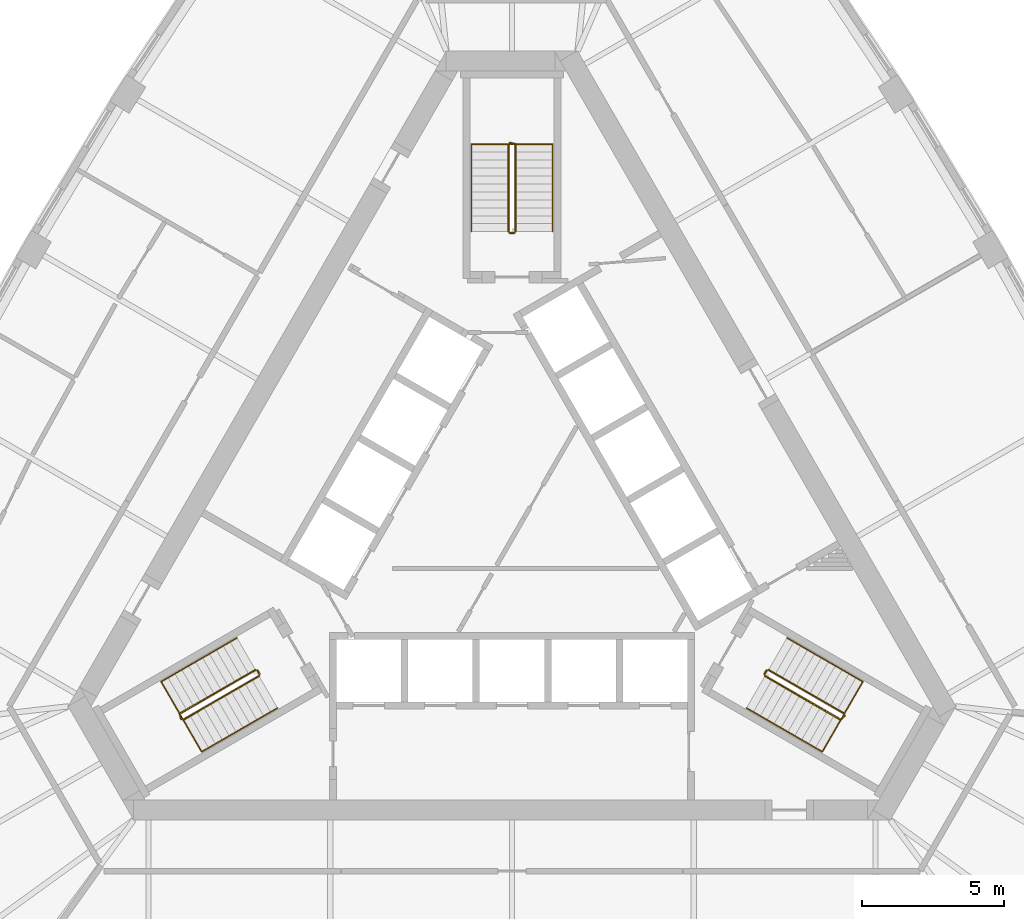
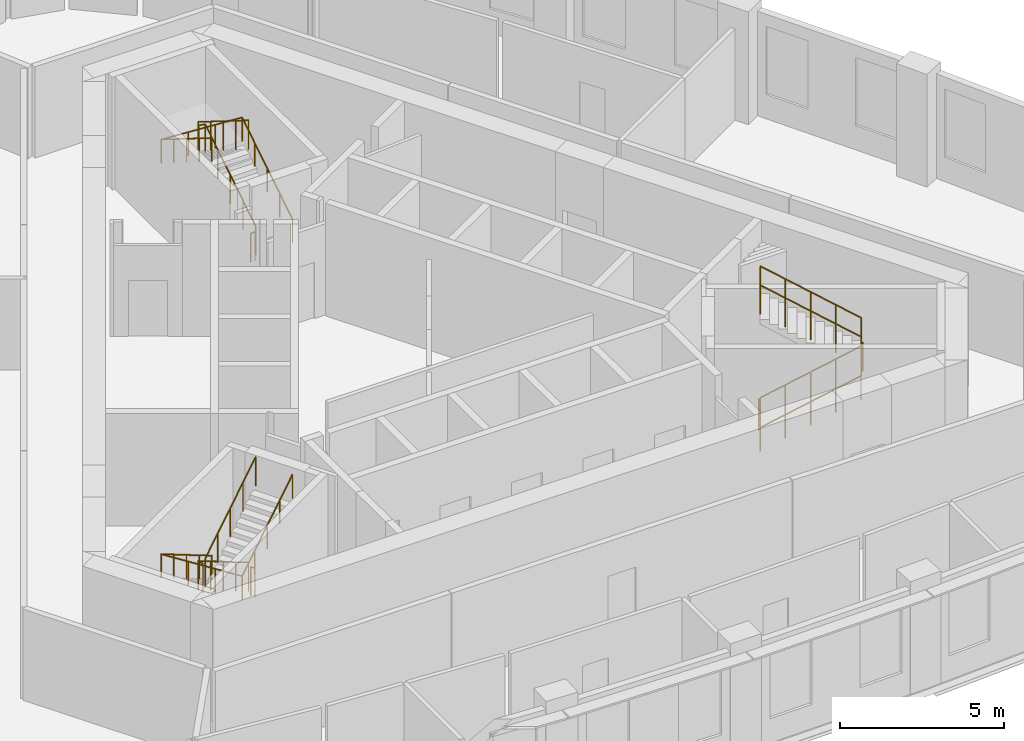
# One storey, part 11 of 11: 12 railings.
"""IFC4 building model written with IfcOpenShell, lengths in metres."""

from ifc_helpers import new_model, si_unit, direction, frame, origin, origin_2d, place, context, subcontext, project, spatial, circle, extrude, material, type_object, element, save


model = new_model("IFC4")

# Units and contexts
model_context = context("Model", 3, precision=1e-05, world=origin(), true_north=direction((0.0, 1.0)))
body_context = subcontext(model_context, "Body", "Model", "MODEL_VIEW")
ifc_project = project(units=[si_unit("LENGTHUNIT", "METRE"), si_unit("AREAUNIT", "SQUARE_METRE"), si_unit("VOLUMEUNIT", "CUBIC_METRE"), si_unit("PLANEANGLEUNIT", "RADIAN"), si_unit("MASSUNIT", "GRAM", prefix="KILO")], contexts=[model_context])

# Site, building, storey
site_placement = place(None, origin())
site = spatial("IfcSite", under=ifc_project, at=site_placement, CompositionType="ELEMENT")
building_placement = place(site_placement, origin())
building = spatial("IfcBuilding", under=site, at=building_placement, Name="Mestral Congress Tower", CompositionType="ELEMENT")
storey_placement = place(building_placement, frame((0.0, 0.0, 252.0)))
storey = spatial("IfcBuildingStorey", under=building, at=storey_placement, Name="L59", CompositionType="ELEMENT", Elevation=252.0)

# Railings
ifc_material_1 = material(Name="Steel balustrade", Category="steel")
railing_type_1 = type_object("IfcRailingType", Name="Stair guard 1100", PredefinedType="GUARDRAIL", material=ifc_material_1)
railing_1_placement = place(storey_placement, frame((8.90087890625, -5.283203125, 0.175048828125)))
element("IfcRailing", 1, at=railing_1_placement, inside=storey, type_object=railing_type_1, Name="L59 ST1 stair guard 1", PredefinedType="GUARDRAIL", context=body_context, shape_type="SweptSolid", body=[
    extrude(circle(Radius=0.02392578125, at=origin_2d()), frame((0.0, 0.0, 1.076171875), z_axis=(0.734364028329, -0.424015404183, 0.530019255228), x_axis=(0.500026652407, 0.866010015463, 0.0)), (0.0, 0.0, 1.0), 3.632080078125),
    extrude(circle(Radius=0.02392578125, at=origin_2d()), frame((2.667236328125, -1.5400390625, 3.0009765625), z_axis=(0.695164929852, 0.718850276695, 0.0), x_axis=(-0.718850276695, 0.695164929852, 0.0)), (0.0, 0.0, 1.0), 0.2060546875),
    extrude(circle(Radius=0.02099609375, at=origin_2d()), origin(), (0.0, 0.0, 1.0), 1.052001953125),
    extrude(circle(Radius=0.02099609375, at=origin_2d()), frame((0.666748046875, -0.385009765625, 0.481201171875)), (0.0, 0.0, 1.0), 1.052001953125),
    extrude(circle(Radius=0.02099609375, at=origin_2d()), frame((1.33349609375, -0.77001953125, 0.96240234375)), (0.0, 0.0, 1.0), 1.052001953125),
    extrude(circle(Radius=0.02099609375, at=origin_2d()), frame((2.00048828125, -1.155029296875, 1.44384765625)), (0.0, 0.0, 1.0), 1.052001953125),
    extrude(circle(Radius=0.02099609375, at=origin_2d()), frame((2.667236328125, -1.5400390625, 1.925048828125)), (0.0, 0.0, 1.0), 1.052001953125),
    extrude(circle(Radius=0.02099609375, at=origin_2d()), frame((2.810546875, -1.391845703125, 1.925048828125)), (0.0, 0.0, 1.0), 1.052001953125),
])
railing_2_placement = place(storey_placement, frame((11.693115234375, -6.606689453125, 2.27490234375)))
element("IfcRailing", 2, at=railing_2_placement, inside=storey, type_object=railing_type_1, Name="L59 ST1 stair guard 2", PredefinedType="GUARDRAIL", context=body_context, shape_type="SweptSolid", body=[
    extrude(circle(Radius=0.02392578125, at=origin_2d()), frame((0.0, 0.0, 1.076171875), z_axis=(-0.734364028329, 0.424015404183, 0.530019255228), x_axis=(-0.500026652407, -0.866010015463, 0.0)), (0.0, 0.0, 1.0), 3.632080078125),
    extrude(circle(Radius=0.02099609375, at=origin_2d()), origin(), (0.0, 0.0, 1.0), 1.052001953125),
    extrude(circle(Radius=0.02099609375, at=origin_2d()), frame((-0.666748046875, 0.385009765625, 0.481201171875)), (0.0, 0.0, 1.0), 1.052001953125),
    extrude(circle(Radius=0.02099609375, at=origin_2d()), frame((-1.33349609375, 0.77001953125, 0.96240234375)), (0.0, 0.0, 1.0), 1.052001953125),
    extrude(circle(Radius=0.02099609375, at=origin_2d()), frame((-2.00048828125, 1.155029296875, 1.44384765625)), (0.0, 0.0, 1.0), 1.052001953125),
    extrude(circle(Radius=0.02099609375, at=origin_2d()), frame((-2.667236328125, 1.5400390625, 1.925048828125)), (0.0, 0.0, 1.0), 1.052001953125),
])
railing_3_placement = place(storey_placement, frame((8.882568359375, -5.21484375, 0.0)))
element("IfcRailing", 3, at=railing_3_placement, inside=storey, type_object=railing_type_1, Name="L59 ST1 stair guard 3", PredefinedType="GUARDRAIL", context=body_context, shape_type="SweptSolid", body=[
    extrude(circle(Radius=0.02392578125, at=origin_2d()), frame((0.0, 0.0, 1.076171875), z_axis=(0.499816412211, 0.866131372301, 0.0), x_axis=(-0.866131372301, 0.499816412211, 0.0)), (0.0, 0.0, 1.0), 0.14990234375),
    extrude(circle(Radius=0.02099609375, at=origin_2d()), origin(), (0.0, 0.0, 1.0), 1.052001953125),
    extrude(circle(Radius=0.02099609375, at=origin_2d()), frame((0.074951171875, 0.1298828125, 0.0)), (0.0, 0.0, 1.0), 1.052001953125),
])
railing_4_placement = place(storey_placement, frame((0.125, 10.35009765625, 0.175048828125)))
element("IfcRailing", 4, at=railing_4_placement, inside=storey, type_object=railing_type_1, Name="L59 ST2 stair guard 1", PredefinedType="GUARDRAIL", context=body_context, shape_type="SweptSolid", body=[
    extrude(circle(Radius=0.02392578125, at=origin_2d()), frame((0.0, 0.0, 1.076171875), z_axis=(0.0, 0.847979421464, 0.530029150871), x_axis=(-1.0, 0.0, 0.0)), (0.0, 0.0, 1.0), 3.632080078125),
    extrude(circle(Radius=0.02392578125, at=origin_2d()), frame((0.0, 3.079833984375, 3.0009765625), z_axis=(-0.970072785993, 0.242814311512, 0.0), x_axis=(-0.242814311512, -0.970072785993, 0.0)), (0.0, 0.0, 1.0), 0.2060546875),
    extrude(circle(Radius=0.02099609375, at=origin_2d()), origin(), (0.0, 0.0, 1.0), 1.052001953125),
    extrude(circle(Radius=0.02099609375, at=origin_2d()), frame((0.0, 0.77001953125, 0.481201171875)), (0.0, 0.0, 1.0), 1.052001953125),
    extrude(circle(Radius=0.02099609375, at=origin_2d()), frame((0.0, 1.5400390625, 0.96240234375)), (0.0, 0.0, 1.0), 1.052001953125),
    extrude(circle(Radius=0.02099609375, at=origin_2d()), frame((0.0, 2.309814453125, 1.44384765625)), (0.0, 0.0, 1.0), 1.052001953125),
    extrude(circle(Radius=0.02099609375, at=origin_2d()), frame((0.0, 3.079833984375, 1.925048828125)), (0.0, 0.0, 1.0), 1.052001953125),
    extrude(circle(Radius=0.02099609375, at=origin_2d()), frame((-0.199951171875, 3.1298828125, 1.925048828125)), (0.0, 0.0, 1.0), 1.052001953125),
])
railing_5_placement = place(storey_placement, frame((-0.125, 13.429931640625, 2.27490234375)))
element("IfcRailing", 5, at=railing_5_placement, inside=storey, type_object=railing_type_1, Name="L59 ST2 stair guard 2", PredefinedType="GUARDRAIL", context=body_context, shape_type="SweptSolid", body=[
    extrude(circle(Radius=0.02392578125, at=origin_2d()), frame((0.0, 0.0, 1.076171875), z_axis=(0.0, -0.847979421464, 0.530029150871), x_axis=(1.0, 0.0, 0.0)), (0.0, 0.0, 1.0), 3.632080078125),
    extrude(circle(Radius=0.02099609375, at=origin_2d()), origin(), (0.0, 0.0, 1.0), 1.052001953125),
    extrude(circle(Radius=0.02099609375, at=origin_2d()), frame((0.0, -0.77001953125, 0.481201171875)), (0.0, 0.0, 1.0), 1.052001953125),
    extrude(circle(Radius=0.02099609375, at=origin_2d()), frame((0.0, -1.5400390625, 0.96240234375)), (0.0, 0.0, 1.0), 1.052001953125),
    extrude(circle(Radius=0.02099609375, at=origin_2d()), frame((0.0, -2.309814453125, 1.44384765625)), (0.0, 0.0, 1.0), 1.052001953125),
    extrude(circle(Radius=0.02099609375, at=origin_2d()), frame((0.0, -3.079833984375, 1.925048828125)), (0.0, 0.0, 1.0), 1.052001953125),
])
railing_6_placement = place(storey_placement, frame((0.074951171875, 10.300048828125, 0.0)))
element("IfcRailing", 6, at=railing_6_placement, inside=storey, type_object=railing_type_1, Name="L59 ST2 stair guard 3", PredefinedType="GUARDRAIL", context=body_context, shape_type="SweptSolid", body=[
    extrude(circle(Radius=0.02392578125, at=origin_2d()), frame((0.0, 0.0, 1.076171875), z_axis=(-1.0, 0.0, 0.0), x_axis=(0.0, -1.0, 0.0)), (0.0, 0.0, 1.0), 0.14990234375),
    extrude(circle(Radius=0.02099609375, at=origin_2d()), origin(), (0.0, 0.0, 1.0), 1.052001953125),
    extrude(circle(Radius=0.02099609375, at=origin_2d()), frame((-0.14990234375, 0.0, 0.0)), (0.0, 0.0, 1.0), 1.052001953125),
])
railing_7_placement = place(storey_placement, frame((-9.02587890625, -5.066650390625, 0.175048828125)))
element("IfcRailing", 7, at=railing_7_placement, inside=storey, type_object=railing_type_1, Name="L59 ST3 stair guard 1", PredefinedType="GUARDRAIL", context=body_context, shape_type="SweptSolid", body=[
    extrude(circle(Radius=0.02392578125, at=origin_2d()), frame((0.0, 0.0, 1.076171875), z_axis=(-0.734364028329, -0.424015404183, 0.530019255228), x_axis=(0.500026652407, -0.866010015463, 0.0)), (0.0, 0.0, 1.0), 3.632080078125),
    extrude(circle(Radius=0.02392578125, at=origin_2d()), frame((-2.667236328125, -1.5400390625, 3.0009765625), z_axis=(0.274721127897, -0.961523947641, 0.0), x_axis=(0.961523947641, 0.274721127897, 0.0)), (0.0, 0.0, 1.0), 0.2060546875),
    extrude(circle(Radius=0.02099609375, at=origin_2d()), origin(), (0.0, 0.0, 1.0), 1.052001953125),
    extrude(circle(Radius=0.02099609375, at=origin_2d()), frame((-0.666748046875, -0.385009765625, 0.481201171875)), (0.0, 0.0, 1.0), 1.052001953125),
    extrude(circle(Radius=0.02099609375, at=origin_2d()), frame((-1.33349609375, -0.77001953125, 0.96240234375)), (0.0, 0.0, 1.0), 1.052001953125),
    extrude(circle(Radius=0.02099609375, at=origin_2d()), frame((-2.00048828125, -1.155029296875, 1.44384765625)), (0.0, 0.0, 1.0), 1.052001953125),
    extrude(circle(Radius=0.02099609375, at=origin_2d()), frame((-2.667236328125, -1.5400390625, 1.925048828125)), (0.0, 0.0, 1.0), 1.052001953125),
    extrude(circle(Radius=0.02099609375, at=origin_2d()), frame((-2.610595703125, -1.73828125, 1.925048828125)), (0.0, 0.0, 1.0), 1.052001953125),
])
railing_8_placement = place(storey_placement, frame((-11.568115234375, -6.8232421875, 2.27490234375)))
element("IfcRailing", 8, at=railing_8_placement, inside=storey, type_object=railing_type_1, Name="L59 ST3 stair guard 2", PredefinedType="GUARDRAIL", context=body_context, shape_type="SweptSolid", body=[
    extrude(circle(Radius=0.02392578125, at=origin_2d()), frame((0.0, 0.0, 1.076171875), z_axis=(0.734364028329, 0.424015404183, 0.530019255228), x_axis=(-0.500026652407, 0.866010015463, 0.0)), (0.0, 0.0, 1.0), 3.632080078125),
    extrude(circle(Radius=0.02099609375, at=origin_2d()), origin(), (0.0, 0.0, 1.0), 1.052001953125),
    extrude(circle(Radius=0.02099609375, at=origin_2d()), frame((0.666748046875, 0.385009765625, 0.481201171875)), (0.0, 0.0, 1.0), 1.052001953125),
    extrude(circle(Radius=0.02099609375, at=origin_2d()), frame((1.33349609375, 0.77001953125, 0.96240234375)), (0.0, 0.0, 1.0), 1.052001953125),
    extrude(circle(Radius=0.02099609375, at=origin_2d()), frame((2.00048828125, 1.155029296875, 1.44384765625)), (0.0, 0.0, 1.0), 1.052001953125),
    extrude(circle(Radius=0.02099609375, at=origin_2d()), frame((2.667236328125, 1.5400390625, 1.925048828125)), (0.0, 0.0, 1.0), 1.052001953125),
])
railing_9_placement = place(storey_placement, frame((-8.95751953125, -5.0849609375, 0.0)))
element("IfcRailing", 9, at=railing_9_placement, inside=storey, type_object=railing_type_1, Name="L59 ST3 stair guard 3", PredefinedType="GUARDRAIL", context=body_context, shape_type="SweptSolid", body=[
    extrude(circle(Radius=0.02392578125, at=origin_2d()), frame((0.0, 0.0, 1.076171875), z_axis=(0.499816412211, -0.866131372301, 0.0), x_axis=(0.866131372301, 0.499816412211, 0.0)), (0.0, 0.0, 1.0), 0.14990234375),
    extrude(circle(Radius=0.02099609375, at=origin_2d()), origin(), (0.0, 0.0, 1.0), 1.052001953125),
    extrude(circle(Radius=0.02099609375, at=origin_2d()), frame((0.074951171875, -0.1298828125, 0.0)), (0.0, 0.0, 1.0), 1.052001953125),
])
ifc_material_2 = material(Name="Steel handrail", Category="steel")
railing_type_2 = type_object("IfcRailingType", Name="Stair handrail 900", PredefinedType="HANDRAIL", material=ifc_material_2)
railing_10_placement = place(storey_placement, frame((8.2509765625, -6.4091796875, 0.175048828125)))
element("IfcRailing", 10, at=railing_10_placement, inside=storey, type_object=railing_type_2, Name="L59 ST1 stair handrail 1", PredefinedType="HANDRAIL", context=body_context, shape_type="SweptSolid", body=[
    extrude(circle(Radius=0.02392578125, at=origin_2d()), frame((0.0, 0.0, 0.8759765625), z_axis=(0.734384958227, -0.423960268333, 0.530034361155), x_axis=(0.499967199496, 0.866044340336, 0.0)), (0.0, 0.0, 1.0), 3.6318359375),
    extrude(circle(Radius=0.02392578125, at=origin_2d()), frame((2.667236328125, -1.539794921875, 2.80078125), z_axis=(0.499098383545, 0.864379914213, 0.061222279016), x_axis=(-0.866004402611, 0.500036373335, 0.0)), (0.0, 0.0, 1.0), 2.855224609375),
    extrude(circle(Radius=0.02392578125, at=origin_2d()), frame((4.09228515625, 0.92822265625, 2.9755859375), z_axis=(-0.734394994316, 0.423994474112, 0.52999309264), x_axis=(-0.499992328818, -0.866029832698, 0.0)), (0.0, 0.0, 1.0), 3.63232421875),
    extrude(circle(Radius=0.02099609375, at=origin_2d()), origin(), (0.0, 0.0, 1.0), 0.851806640625),
    extrude(circle(Radius=0.02099609375, at=origin_2d()), frame((0.666748046875, -0.385009765625, 0.481201171875)), (0.0, 0.0, 1.0), 0.851806640625),
    extrude(circle(Radius=0.02099609375, at=origin_2d()), frame((1.33349609375, -0.77001953125, 0.96240234375)), (0.0, 0.0, 1.0), 0.851806640625),
    extrude(circle(Radius=0.02099609375, at=origin_2d()), frame((2.00048828125, -1.15478515625, 1.44384765625)), (0.0, 0.0, 1.0), 0.851806640625),
    extrude(circle(Radius=0.02099609375, at=origin_2d()), frame((2.667236328125, -1.539794921875, 1.925048828125)), (0.0, 0.0, 1.0), 0.851806640625),
    extrude(circle(Radius=0.02099609375, at=origin_2d()), frame((3.142333984375, -0.717041015625, 1.9833984375)), (0.0, 0.0, 1.0), 0.851806640625),
    extrude(circle(Radius=0.02099609375, at=origin_2d()), frame((3.6171875, 0.10546875, 2.04150390625)), (0.0, 0.0, 1.0), 0.851806640625),
    extrude(circle(Radius=0.02099609375, at=origin_2d()), frame((4.09228515625, 0.92822265625, 2.099853515625)), (0.0, 0.0, 1.0), 0.851806640625),
    extrude(circle(Radius=0.02099609375, at=origin_2d()), frame((3.42529296875, 1.313232421875, 2.5810546875)), (0.0, 0.0, 1.0), 0.851806640625),
    extrude(circle(Radius=0.02099609375, at=origin_2d()), frame((2.758544921875, 1.6982421875, 3.0625)), (0.0, 0.0, 1.0), 0.851806640625),
    extrude(circle(Radius=0.02099609375, at=origin_2d()), frame((2.091796875, 2.083251953125, 3.543701171875)), (0.0, 0.0, 1.0), 0.851806640625),
    extrude(circle(Radius=0.02099609375, at=origin_2d()), frame((1.4248046875, 2.46826171875, 4.02490234375)), (0.0, 0.0, 1.0), 0.851806640625),
])
railing_11_placement = place(storey_placement, frame((1.425048828125, 10.35009765625, 0.175048828125)))
element("IfcRailing", 11, at=railing_11_placement, inside=storey, type_object=railing_type_2, Name="L59 ST2 stair handrail 1", PredefinedType="HANDRAIL", context=body_context, shape_type="SweptSolid", body=[
    extrude(circle(Radius=0.02392578125, at=origin_2d()), frame((0.0, 0.0, 0.8759765625), z_axis=(0.0, 0.847979421464, 0.530029150871), x_axis=(-1.0, 0.0, 0.0)), (0.0, 0.0, 1.0), 3.632080078125),
    extrude(circle(Radius=0.02392578125, at=origin_2d()), frame((0.0, 3.079833984375, 2.80078125), z_axis=(-0.998124429008, 0.0, 0.061217842314), x_axis=(0.0, -1.0, 0.0)), (0.0, 0.0, 1.0), 2.85546875),
    extrude(circle(Radius=0.02392578125, at=origin_2d()), frame((-2.85009765625, 3.079833984375, 2.9755859375), z_axis=(0.0, -0.847979421464, 0.530029150871), x_axis=(1.0, 0.0, 0.0)), (0.0, 0.0, 1.0), 3.632080078125),
    extrude(circle(Radius=0.02099609375, at=origin_2d()), origin(), (0.0, 0.0, 1.0), 0.851806640625),
    extrude(circle(Radius=0.02099609375, at=origin_2d()), frame((0.0, 0.77001953125, 0.481201171875)), (0.0, 0.0, 1.0), 0.851806640625),
    extrude(circle(Radius=0.02099609375, at=origin_2d()), frame((0.0, 1.5400390625, 0.96240234375)), (0.0, 0.0, 1.0), 0.851806640625),
    extrude(circle(Radius=0.02099609375, at=origin_2d()), frame((0.0, 2.309814453125, 1.44384765625)), (0.0, 0.0, 1.0), 0.851806640625),
    extrude(circle(Radius=0.02099609375, at=origin_2d()), frame((0.0, 3.079833984375, 1.925048828125)), (0.0, 0.0, 1.0), 0.851806640625),
    extrude(circle(Radius=0.02099609375, at=origin_2d()), frame((-0.949951171875, 3.079833984375, 1.9833984375)), (0.0, 0.0, 1.0), 0.851806640625),
    extrude(circle(Radius=0.02099609375, at=origin_2d()), frame((-1.900146484375, 3.079833984375, 2.04150390625)), (0.0, 0.0, 1.0), 0.851806640625),
    extrude(circle(Radius=0.02099609375, at=origin_2d()), frame((-2.85009765625, 3.079833984375, 2.099853515625)), (0.0, 0.0, 1.0), 0.851806640625),
    extrude(circle(Radius=0.02099609375, at=origin_2d()), frame((-2.85009765625, 2.309814453125, 2.5810546875)), (0.0, 0.0, 1.0), 0.851806640625),
    extrude(circle(Radius=0.02099609375, at=origin_2d()), frame((-2.85009765625, 1.5400390625, 3.0625)), (0.0, 0.0, 1.0), 0.851806640625),
    extrude(circle(Radius=0.02099609375, at=origin_2d()), frame((-2.85009765625, 0.77001953125, 3.543701171875)), (0.0, 0.0, 1.0), 0.851806640625),
    extrude(circle(Radius=0.02099609375, at=origin_2d()), frame((-2.85009765625, 0.0, 4.02490234375)), (0.0, 0.0, 1.0), 0.851806640625),
])
railing_12_placement = place(storey_placement, frame((-9.67578125, -3.94091796875, 0.175048828125)))
element("IfcRailing", 12, at=railing_12_placement, inside=storey, type_object=railing_type_2, Name="L59 ST3 stair handrail 1", PredefinedType="HANDRAIL", context=body_context, shape_type="SweptSolid", body=[
    extrude(circle(Radius=0.02392578125, at=origin_2d()), frame((0.0, 0.0, 0.8759765625), z_axis=(-0.734394994316, -0.423994474112, 0.52999309264), x_axis=(0.499992328818, -0.866029832698, 0.0)), (0.0, 0.0, 1.0), 3.63232421875),
    extrude(circle(Radius=0.02392578125, at=origin_2d()), frame((-2.66748046875, -1.5400390625, 2.80078125), z_axis=(0.499098383545, -0.864379914213, 0.061222279016), x_axis=(0.866004402611, 0.500036373335, 0.0)), (0.0, 0.0, 1.0), 2.855224609375),
    extrude(circle(Radius=0.02392578125, at=origin_2d()), frame((-1.242431640625, -4.008056640625, 2.9755859375), z_axis=(0.734384958227, 0.423960268333, 0.530034361155), x_axis=(-0.499967199496, 0.866044340336, 0.0)), (0.0, 0.0, 1.0), 3.6318359375),
    extrude(circle(Radius=0.02099609375, at=origin_2d()), origin(), (0.0, 0.0, 1.0), 0.851806640625),
    extrude(circle(Radius=0.02099609375, at=origin_2d()), frame((-0.6669921875, -0.385009765625, 0.481201171875)), (0.0, 0.0, 1.0), 0.851806640625),
    extrude(circle(Radius=0.02099609375, at=origin_2d()), frame((-1.333740234375, -0.77001953125, 0.96240234375)), (0.0, 0.0, 1.0), 0.851806640625),
    extrude(circle(Radius=0.02099609375, at=origin_2d()), frame((-2.00048828125, -1.155029296875, 1.44384765625)), (0.0, 0.0, 1.0), 0.851806640625),
    extrude(circle(Radius=0.02099609375, at=origin_2d()), frame((-2.66748046875, -1.5400390625, 1.925048828125)), (0.0, 0.0, 1.0), 0.851806640625),
    extrude(circle(Radius=0.02099609375, at=origin_2d()), frame((-2.1923828125, -2.36279296875, 1.9833984375)), (0.0, 0.0, 1.0), 0.851806640625),
    extrude(circle(Radius=0.02099609375, at=origin_2d()), frame((-1.717529296875, -3.185302734375, 2.04150390625)), (0.0, 0.0, 1.0), 0.851806640625),
    extrude(circle(Radius=0.02099609375, at=origin_2d()), frame((-1.242431640625, -4.008056640625, 2.099853515625)), (0.0, 0.0, 1.0), 0.851806640625),
    extrude(circle(Radius=0.02099609375, at=origin_2d()), frame((-0.57568359375, -3.623046875, 2.5810546875)), (0.0, 0.0, 1.0), 0.851806640625),
    extrude(circle(Radius=0.02099609375, at=origin_2d()), frame((0.09130859375, -3.23828125, 3.0625)), (0.0, 0.0, 1.0), 0.851806640625),
    extrude(circle(Radius=0.02099609375, at=origin_2d()), frame((0.758056640625, -2.853271484375, 3.543701171875)), (0.0, 0.0, 1.0), 0.851806640625),
    extrude(circle(Radius=0.02099609375, at=origin_2d()), frame((1.4248046875, -2.46826171875, 4.02490234375)), (0.0, 0.0, 1.0), 0.851806640625),
])

save(model, "model.ifc")
